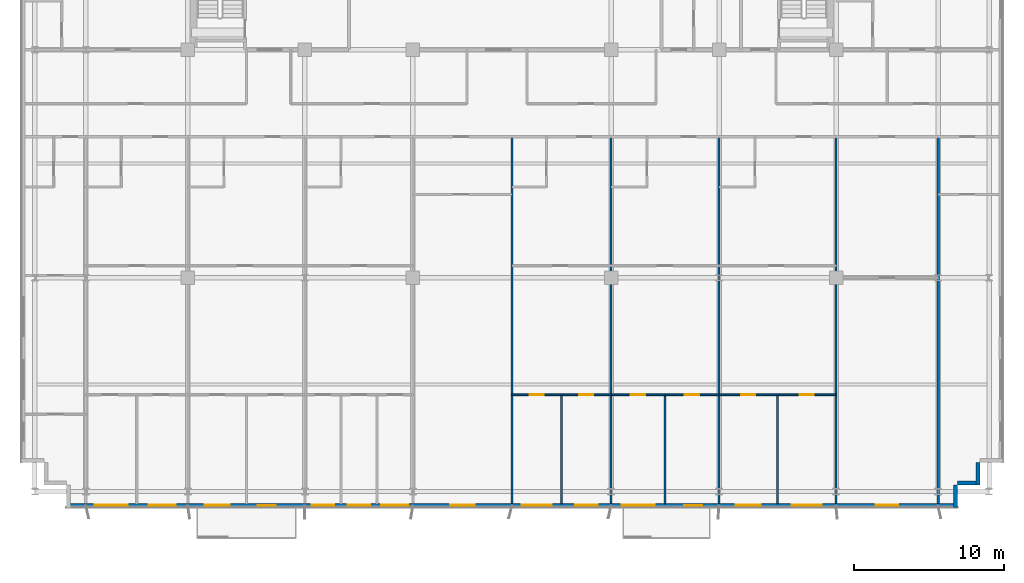
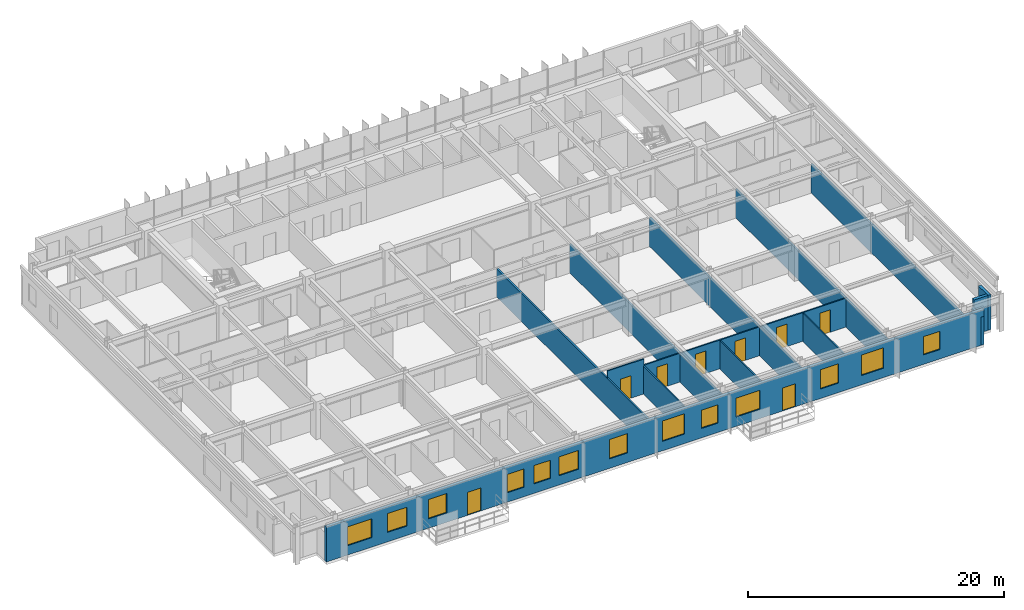
# One storey, part 17 of 24: 18 walls, 13 windows, 8 doors, 21 openings.
"""IFC4 building model written with IfcOpenShell, lengths in metres."""

from ifc_helpers import new_model, si_unit, direction, frame, frame_2d, origin, place, context, subcontext, project, spatial, rectangle, extrude, source, transform, mapped, material, layer, layer_set, type_object, element, fill, save


model = new_model("IFC4")

# Units and contexts
model_context = context("Model", 3, precision=1e-05, world=origin(), true_north=direction((0.0, 1.0)))
body_context = subcontext(model_context, "Body", "Model", "MODEL_VIEW")
ifc_project = project(units=[si_unit("LENGTHUNIT", "METRE"), si_unit("AREAUNIT", "SQUARE_METRE"), si_unit("VOLUMEUNIT", "CUBIC_METRE"), si_unit("PLANEANGLEUNIT", "RADIAN"), si_unit("MASSUNIT", "GRAM", prefix="KILO")], contexts=[model_context])

# Site, building, storey
site_placement = place(None, origin())
site = spatial("IfcSite", under=ifc_project, at=site_placement, CompositionType="ELEMENT")
building_placement = place(site_placement, origin())
building = spatial("IfcBuilding", under=site, at=building_placement, Name="Trelvane Seafront Commons", CompositionType="ELEMENT")
storey_placement = place(building_placement, frame((0.0, 0.0, 27.10009765625)))
storey = spatial("IfcBuildingStorey", under=building, at=storey_placement, Name="L06", CompositionType="ELEMENT", Elevation=27.10009765625)

# Walls
ifc_material_1 = material(Name="Precast concrete C40/50", Category="concrete")
ifc_layer_1 = layer(ifc_material_1, 0.260009765625, Name="ARCH-WALL-EXT260")
ifc_layer_set_1 = layer_set([ifc_layer_1], Name="Precast concrete C40/50")
wall_type_1 = type_object("IfcWallType", Name="ARCH-WALL-EXT260", PredefinedType="SOLIDWALL", material=ifc_layer_set_1)
for number, where, z_axis, x_axis, name in (
    (1, (68.27001953125, 5.89990234375, 0.0), (0.0, 0.0, 1.0), (0.0, -1.0, 0.0), "EW-L06-00082"),
    (2, (68.39990234375, 4.530029296875, 0.0), (0.0, 0.0, 1.0), (-1.0, 0.0, 0.0), "EW-L06-00083"),
):
    element("IfcWall", number, at=place(storey_placement, frame(where, z_axis=z_axis, x_axis=x_axis)), inside=storey, type_object=wall_type_1, Name=name, PredefinedType="SOLIDWALL", context=body_context, shape_type="SweptSolid", body=[
        extrude(rectangle(XDim=1.5, YDim=0.260009765625, at=frame_2d((0.75, 0.0))), origin(), (0.0, 0.0, 1.0), 3.33984375),
    ])
wall_1_placement = place(storey_placement, frame((66.77001953125, 4.39990234375, 0.0), z_axis=(0.0, 0.0, 1.0), x_axis=(0.0, -1.0, 0.0)))
element("IfcWall", 3, at=wall_1_placement, inside=storey, type_object=wall_type_1, Name="EW-L06-00084", PredefinedType="SOLIDWALL", context=body_context, shape_type="SweptSolid", body=[
    extrude(rectangle(XDim=1.5, YDim=0.260009765625, at=frame_2d((0.75, 0.0))), origin(), (0.0, 0.0, 1.0), 2.68994140625),
])

# Wall, openings, doors, windows
wall_2_placement = place(storey_placement, frame((66.89990234375, 3.030029296875, 0.0), z_axis=(0.0, 0.0, 1.0), x_axis=(-1.0, 0.0, 0.0)))
wall_2 = element("IfcWall", 4, at=wall_2_placement, inside=storey, type_object=wall_type_1, Name="EW-L06-00085", PredefinedType="SOLIDWALL", context=body_context, shape_type="SweptSolid", body=[
    extrude(rectangle(XDim=59.39990234375, YDim=0.260009765625, at=frame_2d((29.699951171875, 0.0))), origin(), (0.0, 0.0, 1.0), 3.33984375),
])
opening_1_placement = place(wall_2_placement, frame((3.949951171875, 0.0, 0.89990234375)))
opening_1 = element("IfcOpeningElement", 5, at=opening_1_placement, cuts=wall_2, Name="Opening W03", PredefinedType="OPENING", context=body_context, shape_type="SweptSolid", body=[
    extrude(rectangle(XDim=1.5, YDim=1.75, at=frame_2d((0.75, 0.875))), frame((0.0, 0.139892578125, 0.0), z_axis=(0.0, -1.0, 0.0), x_axis=(1.0, 0.0, 0.0)), (0.0, 0.0, 1.0), 0.280029296875),
])
opening_2_placement = place(wall_2_placement, frame((9.050048828125, 0.0, 0.89990234375)))
opening_2 = element("IfcOpeningElement", 6, at=opening_2_placement, cuts=wall_2, Name="Opening W06", PredefinedType="OPENING", context=body_context, shape_type="SweptSolid", body=[
    extrude(rectangle(XDim=2.0, YDim=1.949951171875, at=frame_2d((1.0, 0.97509765625))), frame((0.0, 0.139892578125, 0.0), z_axis=(0.0, -1.0, 0.0), x_axis=(1.0, 0.0, 0.0)), (0.0, 0.0, 1.0), 0.280029296875),
])
opening_3_placement = place(wall_2_placement, frame((13.125, 0.0, 0.89990234375)))
opening_3 = element("IfcOpeningElement", 7, at=opening_3_placement, cuts=wall_2, Name="Opening W07", PredefinedType="OPENING", context=body_context, shape_type="SweptSolid", body=[
    extrude(rectangle(XDim=1.64990234375, YDim=1.85009765625, at=frame_2d((0.824951171875, 0.925048828125))), frame((0.0, 0.139892578125, 0.0), z_axis=(0.0, -1.0, 0.0), x_axis=(1.0, 0.0, 0.0)), (0.0, 0.0, 1.0), 0.280029296875),
])
opening_4_placement = place(wall_2_placement, frame((17.007080078125, 0.0, 0.0)))
opening_4 = element("IfcOpeningElement", 8, at=opening_4_placement, cuts=wall_2, Name="Opening BD-L06-17", PredefinedType="OPENING", context=body_context, shape_type="SweptSolid", body=[
    extrude(rectangle(XDim=1.199951171875, YDim=2.199951171875, at=frame_2d((0.60009765625, 1.10009765625))), frame((0.0, 0.139892578125, 0.0), z_axis=(0.0, -1.0, 0.0), x_axis=(1.0, 0.0, 0.0)), (0.0, 0.0, 1.0), 0.280029296875),
])
opening_5_placement = place(wall_2_placement, frame((20.199951171875, 0.0, 0.89990234375)))
opening_5 = element("IfcOpeningElement", 9, at=opening_5_placement, cuts=wall_2, Name="Opening W02", PredefinedType="OPENING", context=body_context, shape_type="SweptSolid", body=[
    extrude(rectangle(XDim=2.199951171875, YDim=1.800048828125, at=frame_2d((1.10009765625, 0.89990234375))), frame((0.0, 0.139892578125, 0.0), z_axis=(0.0, -1.0, 0.0), x_axis=(1.0, 0.0, 0.0)), (0.0, 0.0, 1.0), 0.280029296875),
])
opening_6_placement = place(wall_2_placement, frame((24.0, 0.0, 0.89990234375)))
opening_6 = element("IfcOpeningElement", 10, at=opening_6_placement, cuts=wall_2, Name="Opening W03", PredefinedType="OPENING", context=body_context, shape_type="SweptSolid", body=[
    extrude(rectangle(XDim=1.5, YDim=1.75, at=frame_2d((0.75, 0.875))), frame((0.0, 0.139892578125, 0.0), z_axis=(0.0, -1.0, 0.0), x_axis=(1.0, 0.0, 0.0)), (0.0, 0.0, 1.0), 0.280029296875),
])
opening_7_placement = place(wall_2_placement, frame((27.050048828125, 0.0, 0.89990234375)))
opening_7 = element("IfcOpeningElement", 11, at=opening_7_placement, cuts=wall_2, Name="Opening W06", PredefinedType="OPENING", context=body_context, shape_type="SweptSolid", body=[
    extrude(rectangle(XDim=2.0, YDim=1.949951171875, at=frame_2d((1.0, 0.97509765625))), frame((0.0, 0.139892578125, 0.0), z_axis=(0.0, -1.0, 0.0), x_axis=(1.0, 0.0, 0.0)), (0.0, 0.0, 1.0), 0.280029296875),
])
opening_8_placement = place(wall_2_placement, frame((32.175048828125, 0.0, 0.89990234375)))
opening_8 = element("IfcOpeningElement", 12, at=opening_8_placement, cuts=wall_2, Name="Opening W07", PredefinedType="OPENING", context=body_context, shape_type="SweptSolid", body=[
    extrude(rectangle(XDim=1.64990234375, YDim=1.85009765625, at=frame_2d((0.824951171875, 0.925048828125))), frame((0.0, 0.139892578125, 0.0), z_axis=(0.0, -1.0, 0.0), x_axis=(1.0, 0.0, 0.0)), (0.0, 0.0, 1.0), 0.280029296875),
])
opening_9_placement = place(wall_2_placement, frame((36.60009765625, 0.0, 0.89990234375)))
opening_9 = element("IfcOpeningElement", 13, at=opening_9_placement, cuts=wall_2, Name="Opening W01", PredefinedType="OPENING", context=body_context, shape_type="SweptSolid", body=[
    extrude(rectangle(XDim=1.800048828125, YDim=1.800048828125, at=frame_2d((0.89990234375, 0.89990234375))), frame((0.0, 0.139892578125, 0.0), z_axis=(0.0, -1.0, 0.0), x_axis=(1.0, 0.0, 0.0)), (0.0, 0.0, 1.0), 0.280029296875),
])
opening_10_placement = place(wall_2_placement, frame((39.14990234375, 0.0, 0.89990234375)))
opening_10 = element("IfcOpeningElement", 14, at=opening_10_placement, cuts=wall_2, Name="Opening W03", PredefinedType="OPENING", context=body_context, shape_type="SweptSolid", body=[
    extrude(rectangle(XDim=1.5, YDim=1.75, at=frame_2d((0.75, 0.875))), frame((0.0, 0.139892578125, 0.0), z_axis=(0.0, -1.0, 0.0), x_axis=(1.0, 0.0, 0.0)), (0.0, 0.0, 1.0), 0.280029296875),
])
opening_11_placement = place(wall_2_placement, frame((41.550048828125, 0.0, 0.89990234375)))
opening_11 = element("IfcOpeningElement", 15, at=opening_11_placement, cuts=wall_2, Name="Opening W03", PredefinedType="OPENING", context=body_context, shape_type="SweptSolid", body=[
    extrude(rectangle(XDim=1.5, YDim=1.75, at=frame_2d((0.75, 0.875))), frame((0.0, 0.139892578125, 0.0), z_axis=(0.0, -1.0, 0.0), x_axis=(1.0, 0.0, 0.0)), (0.0, 0.0, 1.0), 0.280029296875),
])
opening_12_placement = place(wall_2_placement, frame((45.43505859375, 0.0, 0.0)))
opening_12 = element("IfcOpeningElement", 16, at=opening_12_placement, cuts=wall_2, Name="Opening BD-L06-18", PredefinedType="OPENING", context=body_context, shape_type="SweptSolid", body=[
    extrude(rectangle(XDim=1.199951171875, YDim=2.199951171875, at=frame_2d((0.60009765625, 1.10009765625))), frame((0.0, 0.139892578125, 0.0), z_axis=(0.0, -1.0, 0.0), x_axis=(1.0, 0.0, 0.0)), (0.0, 0.0, 1.0), 0.280029296875),
])
opening_13_placement = place(wall_2_placement, frame((48.52490234375, 0.0, 0.89990234375)))
opening_13 = element("IfcOpeningElement", 17, at=opening_13_placement, cuts=wall_2, Name="Opening W07", PredefinedType="OPENING", context=body_context, shape_type="SweptSolid", body=[
    extrude(rectangle(XDim=1.64990234375, YDim=1.85009765625, at=frame_2d((0.824951171875, 0.925048828125))), frame((0.0, 0.139892578125, 0.0), z_axis=(0.0, -1.0, 0.0), x_axis=(1.0, 0.0, 0.0)), (0.0, 0.0, 1.0), 0.280029296875),
])
opening_14_placement = place(wall_2_placement, frame((52.10009765625, 0.0, 0.89990234375)))
opening_14 = element("IfcOpeningElement", 18, at=opening_14_placement, cuts=wall_2, Name="Opening W01", PredefinedType="OPENING", context=body_context, shape_type="SweptSolid", body=[
    extrude(rectangle(XDim=1.800048828125, YDim=1.800048828125, at=frame_2d((0.89990234375, 0.89990234375))), frame((0.0, 0.139892578125, 0.0), z_axis=(0.0, -1.0, 0.0), x_axis=(1.0, 0.0, 0.0)), (0.0, 0.0, 1.0), 0.280029296875),
])
opening_15_placement = place(wall_2_placement, frame((55.300048828125, 0.0, 0.89990234375)))
opening_15 = element("IfcOpeningElement", 19, at=opening_15_placement, cuts=wall_2, Name="Opening W02", PredefinedType="OPENING", context=body_context, shape_type="SweptSolid", body=[
    extrude(rectangle(XDim=2.199951171875, YDim=1.800048828125, at=frame_2d((1.10009765625, 0.89990234375))), frame((0.0, 0.139892578125, 0.0), z_axis=(0.0, -1.0, 0.0), x_axis=(1.0, 0.0, 0.0)), (0.0, 0.0, 1.0), 0.280029296875),
])
ifc_material_2 = material(Name="Powder-coated aluminium frame", Category="aluminium")
door_type_1 = type_object("IfcDoorType", Name="ARCH-DR-BAL1200", OperationType="NOTDEFINED", PredefinedType="DOOR", material=ifc_material_2)
shared_shape_1 = source(origin(), body_context, "Body", "SweptSolid", [
    extrude(rectangle(XDim=1.199951171875, YDim=2.199951171875, at=frame_2d((0.60009765625, 1.10009765625))), frame((0.0, 0.02490234375, 0.0), z_axis=(0.0, -1.0, 0.0), x_axis=(1.0, 0.0, 0.0)), (0.0, 0.0, 1.0), 0.050048828125),
])
door_1_placement = place(opening_4_placement, origin())
door_1 = element("IfcDoor", 20, at=door_1_placement, inside=storey, type_object=door_type_1, Name="L06 Balcony Terrace Access Door", OperationType="SINGLE_SWING_LEFT", OverallHeight=2.199951171875, OverallWidth=1.199951171875, PredefinedType="DOOR", context=body_context, shape_type="MappedRepresentation", body=[
    mapped(shared_shape_1, transform((0.0, 0.0, 0.0), x_axis=(1.0, 0.0, 0.0), y_axis=(0.0, 1.0, 0.0), z_axis=(0.0, 0.0, 1.0), scale=1.0)),
])
fill(opening_4, door_1)
door_2_placement = place(opening_12_placement, origin())
door_2 = element("IfcDoor", 21, at=door_2_placement, inside=storey, type_object=door_type_1, Name="L06 Balcony Terrace Access Door", OperationType="SINGLE_SWING_LEFT", OverallHeight=2.199951171875, OverallWidth=1.199951171875, PredefinedType="DOOR", context=body_context, shape_type="MappedRepresentation", body=[
    mapped(shared_shape_1, transform((0.0, 0.0, 0.0), x_axis=(1.0, 0.0, 0.0), y_axis=(0.0, 1.0, 0.0), z_axis=(0.0, 0.0, 1.0), scale=1.0)),
])
fill(opening_12, door_2)
ifc_material_3 = material(Name="Low-E coastal double glazing", Category="glass")
window_type_1 = type_object("IfcWindowType", Name="ARCH-WIN-W02", PartitioningType="SINGLE_PANEL", PredefinedType="WINDOW", material=ifc_material_3)
shared_shape_2 = source(origin(), body_context, "Body", "SweptSolid", [
    extrude(rectangle(XDim=2.199951171875, YDim=1.800048828125, at=frame_2d((1.10009765625, 0.89990234375))), frame((0.0, 0.030029296875, 0.0), z_axis=(0.0, -1.0, 0.0), x_axis=(1.0, 0.0, 0.0)), (0.0, 0.0, 1.0), 0.06005859375),
])
window_1_placement = place(opening_5_placement, origin())
window_1 = element("IfcWindow", 22, at=window_1_placement, inside=storey, type_object=window_type_1, Name="WIN-L06-00118", OverallHeight=1.800048828125, OverallWidth=2.199951171875, PartitioningType="SINGLE_PANEL", PredefinedType="WINDOW", context=body_context, shape_type="MappedRepresentation", body=[
    mapped(shared_shape_2, transform((0.0, 0.0, 0.0), x_axis=(1.0, 0.0, 0.0), y_axis=(0.0, 1.0, 0.0), z_axis=(0.0, 0.0, 1.0), scale=1.0)),
])
fill(opening_5, window_1)
window_2_placement = place(opening_15_placement, origin())
window_2 = element("IfcWindow", 23, at=window_2_placement, inside=storey, type_object=window_type_1, Name="WIN-L06-00127", OverallHeight=1.800048828125, OverallWidth=2.199951171875, PartitioningType="SINGLE_PANEL", PredefinedType="WINDOW", context=body_context, shape_type="MappedRepresentation", body=[
    mapped(shared_shape_2, transform((0.0, 0.0, 0.0), x_axis=(1.0, 0.0, 0.0), y_axis=(0.0, 1.0, 0.0), z_axis=(0.0, 0.0, 1.0), scale=1.0)),
])
fill(opening_15, window_2)
window_type_2 = type_object("IfcWindowType", Name="ARCH-WIN-W03", PartitioningType="SINGLE_PANEL", PredefinedType="WINDOW", material=ifc_material_3)
shared_shape_3 = source(origin(), body_context, "Body", "SweptSolid", [
    extrude(rectangle(XDim=1.5, YDim=1.75, at=frame_2d((0.75, 0.875))), frame((0.0, 0.030029296875, 0.0), z_axis=(0.0, -1.0, 0.0), x_axis=(1.0, 0.0, 0.0)), (0.0, 0.0, 1.0), 0.06005859375),
])
window_3_placement = place(opening_1_placement, origin())
window_3 = element("IfcWindow", 24, at=window_3_placement, inside=storey, type_object=window_type_2, Name="WIN-L06-00115", OverallHeight=1.75, OverallWidth=1.5, PartitioningType="SINGLE_PANEL", PredefinedType="WINDOW", context=body_context, shape_type="MappedRepresentation", body=[
    mapped(shared_shape_3, transform((0.0, 0.0, 0.0), x_axis=(1.0, 0.0, 0.0), y_axis=(0.0, 1.0, 0.0), z_axis=(0.0, 0.0, 1.0), scale=1.0)),
])
fill(opening_1, window_3)
window_4_placement = place(opening_6_placement, origin())
window_4 = element("IfcWindow", 25, at=window_4_placement, inside=storey, type_object=window_type_2, Name="WIN-L06-00119", OverallHeight=1.75, OverallWidth=1.5, PartitioningType="SINGLE_PANEL", PredefinedType="WINDOW", context=body_context, shape_type="MappedRepresentation", body=[
    mapped(shared_shape_3, transform((0.0, 0.0, 0.0), x_axis=(1.0, 0.0, 0.0), y_axis=(0.0, 1.0, 0.0), z_axis=(0.0, 0.0, 1.0), scale=1.0)),
])
fill(opening_6, window_4)
window_5_placement = place(opening_10_placement, origin())
window_5 = element("IfcWindow", 26, at=window_5_placement, inside=storey, type_object=window_type_2, Name="WIN-L06-00123", OverallHeight=1.75, OverallWidth=1.5, PartitioningType="SINGLE_PANEL", PredefinedType="WINDOW", context=body_context, shape_type="MappedRepresentation", body=[
    mapped(shared_shape_3, transform((0.0, 0.0, 0.0), x_axis=(1.0, 0.0, 0.0), y_axis=(0.0, 1.0, 0.0), z_axis=(0.0, 0.0, 1.0), scale=1.0)),
])
fill(opening_10, window_5)
window_6_placement = place(opening_11_placement, origin())
window_6 = element("IfcWindow", 27, at=window_6_placement, inside=storey, type_object=window_type_2, Name="WIN-L06-00124", OverallHeight=1.75, OverallWidth=1.5, PartitioningType="SINGLE_PANEL", PredefinedType="WINDOW", context=body_context, shape_type="MappedRepresentation", body=[
    mapped(shared_shape_3, transform((0.0, 0.0, 0.0), x_axis=(1.0, 0.0, 0.0), y_axis=(0.0, 1.0, 0.0), z_axis=(0.0, 0.0, 1.0), scale=1.0)),
])
fill(opening_11, window_6)
window_type_3 = type_object("IfcWindowType", Name="ARCH-WIN-W06", PartitioningType="SINGLE_PANEL", PredefinedType="WINDOW", material=ifc_material_3)
shared_shape_4 = source(origin(), body_context, "Body", "SweptSolid", [
    extrude(rectangle(XDim=2.0, YDim=1.949951171875, at=frame_2d((1.0, 0.97509765625))), frame((0.0, 0.030029296875, 0.0), z_axis=(0.0, -1.0, 0.0), x_axis=(1.0, 0.0, 0.0)), (0.0, 0.0, 1.0), 0.06005859375),
])
window_7_placement = place(opening_2_placement, origin())
window_7 = element("IfcWindow", 28, at=window_7_placement, inside=storey, type_object=window_type_3, Name="WIN-L06-00116", OverallHeight=1.949951171875, OverallWidth=2.0, PartitioningType="SINGLE_PANEL", PredefinedType="WINDOW", context=body_context, shape_type="MappedRepresentation", body=[
    mapped(shared_shape_4, transform((0.0, 0.0, 0.0), x_axis=(1.0, 0.0, 0.0), y_axis=(0.0, 1.0, 0.0), z_axis=(0.0, 0.0, 1.0), scale=1.0)),
])
fill(opening_2, window_7)
window_8_placement = place(opening_7_placement, origin())
window_8 = element("IfcWindow", 29, at=window_8_placement, inside=storey, type_object=window_type_3, Name="WIN-L06-00120", OverallHeight=1.949951171875, OverallWidth=2.0, PartitioningType="SINGLE_PANEL", PredefinedType="WINDOW", context=body_context, shape_type="MappedRepresentation", body=[
    mapped(shared_shape_4, transform((0.0, 0.0, 0.0), x_axis=(1.0, 0.0, 0.0), y_axis=(0.0, 1.0, 0.0), z_axis=(0.0, 0.0, 1.0), scale=1.0)),
])
fill(opening_7, window_8)
window_type_4 = type_object("IfcWindowType", Name="ARCH-WIN-W01", PartitioningType="SINGLE_PANEL", PredefinedType="WINDOW", material=ifc_material_3)
shared_shape_5 = source(origin(), body_context, "Body", "SweptSolid", [
    extrude(rectangle(XDim=1.800048828125, YDim=1.800048828125, at=frame_2d((0.89990234375, 0.89990234375))), frame((0.0, 0.030029296875, 0.0), z_axis=(0.0, -1.0, 0.0), x_axis=(1.0, 0.0, 0.0)), (0.0, 0.0, 1.0), 0.06005859375),
])
window_9_placement = place(opening_9_placement, origin())
window_9 = element("IfcWindow", 30, at=window_9_placement, inside=storey, type_object=window_type_4, Name="WIN-L06-00122", OverallHeight=1.800048828125, OverallWidth=1.800048828125, PartitioningType="SINGLE_PANEL", PredefinedType="WINDOW", context=body_context, shape_type="MappedRepresentation", body=[
    mapped(shared_shape_5, transform((0.0, 0.0, 0.0), x_axis=(1.0, 0.0, 0.0), y_axis=(0.0, 1.0, 0.0), z_axis=(0.0, 0.0, 1.0), scale=1.0)),
])
fill(opening_9, window_9)
window_10_placement = place(opening_14_placement, origin())
window_10 = element("IfcWindow", 31, at=window_10_placement, inside=storey, type_object=window_type_4, Name="WIN-L06-00126", OverallHeight=1.800048828125, OverallWidth=1.800048828125, PartitioningType="SINGLE_PANEL", PredefinedType="WINDOW", context=body_context, shape_type="MappedRepresentation", body=[
    mapped(shared_shape_5, transform((0.0, 0.0, 0.0), x_axis=(1.0, 0.0, 0.0), y_axis=(0.0, 1.0, 0.0), z_axis=(0.0, 0.0, 1.0), scale=1.0)),
])
fill(opening_14, window_10)
window_type_5 = type_object("IfcWindowType", Name="ARCH-WIN-W07", PartitioningType="SINGLE_PANEL", PredefinedType="WINDOW", material=ifc_material_3)
shared_shape_6 = source(origin(), body_context, "Body", "SweptSolid", [
    extrude(rectangle(XDim=1.64990234375, YDim=1.85009765625, at=frame_2d((0.824951171875, 0.925048828125))), frame((0.0, 0.030029296875, 0.0), z_axis=(0.0, -1.0, 0.0), x_axis=(1.0, 0.0, 0.0)), (0.0, 0.0, 1.0), 0.06005859375),
])
window_11_placement = place(opening_3_placement, origin())
window_11 = element("IfcWindow", 32, at=window_11_placement, inside=storey, type_object=window_type_5, Name="WIN-L06-00117", OverallHeight=1.85009765625, OverallWidth=1.64990234375, PartitioningType="SINGLE_PANEL", PredefinedType="WINDOW", context=body_context, shape_type="MappedRepresentation", body=[
    mapped(shared_shape_6, transform((0.0, 0.0, 0.0), x_axis=(1.0, 0.0, 0.0), y_axis=(0.0, 1.0, 0.0), z_axis=(0.0, 0.0, 1.0), scale=1.0)),
])
fill(opening_3, window_11)
window_12_placement = place(opening_8_placement, origin())
window_12 = element("IfcWindow", 33, at=window_12_placement, inside=storey, type_object=window_type_5, Name="WIN-L06-00121", OverallHeight=1.85009765625, OverallWidth=1.64990234375, PartitioningType="SINGLE_PANEL", PredefinedType="WINDOW", context=body_context, shape_type="MappedRepresentation", body=[
    mapped(shared_shape_6, transform((0.0, 0.0, 0.0), x_axis=(1.0, 0.0, 0.0), y_axis=(0.0, 1.0, 0.0), z_axis=(0.0, 0.0, 1.0), scale=1.0)),
])
fill(opening_8, window_12)
window_13_placement = place(opening_13_placement, origin())
window_13 = element("IfcWindow", 34, at=window_13_placement, inside=storey, type_object=window_type_5, Name="WIN-L06-00125", OverallHeight=1.85009765625, OverallWidth=1.64990234375, PartitioningType="SINGLE_PANEL", PredefinedType="WINDOW", context=body_context, shape_type="MappedRepresentation", body=[
    mapped(shared_shape_6, transform((0.0, 0.0, 0.0), x_axis=(1.0, 0.0, 0.0), y_axis=(0.0, 1.0, 0.0), z_axis=(0.0, 0.0, 1.0), scale=1.0)),
])
fill(opening_13, window_13)

# Wall, opening, door
ifc_material_4 = material(Name="Gypsum Drywall Acoustic Partition")
ifc_layer_2 = layer(ifc_material_4, 0.1201171875, Name="ARCH-WALL-PART120")
ifc_layer_set_2 = layer_set([ifc_layer_2], Name="Gypsum Drywall Acoustic Partition")
wall_type_2 = type_object("IfcWallType", Name="ARCH-WALL-PART120", PredefinedType="PARTITIONING", material=ifc_layer_set_2)
wall_3_placement = place(storey_placement, frame((37.199951171875, 10.39990234375, 0.0), z_axis=(0.0, 0.0, 1.0), x_axis=(1.0, 0.0, 0.0)))
wall_3 = element("IfcWall", 35, at=wall_3_placement, inside=storey, type_object=wall_type_2, Name="W-L06-U6-YM-1-107", PredefinedType="PARTITIONING", context=body_context, shape_type="SweptSolid", body=[
    extrude(rectangle(XDim=3.300048828125, YDim=0.1201171875, at=frame_2d((1.64990234375, 0.0))), origin(), (0.0, 0.0, 1.0), 3.33984375),
])
opening_16_placement = place(wall_3_placement, frame((1.175048828125, 0.0, 0.0)))
opening_16 = element("IfcOpeningElement", 36, at=opening_16_placement, cuts=wall_3, Name="Opening D-L06-58", PredefinedType="OPENING", context=body_context, shape_type="SweptSolid", body=[
    extrude(rectangle(XDim=0.949951171875, YDim=2.14990234375, at=frame_2d((0.47509765625, 1.074951171875))), frame((0.0, 0.070068359375, 0.0), z_axis=(0.0, -1.0, 0.0), x_axis=(1.0, 0.0, 0.0)), (0.0, 0.0, 1.0), 0.14013671875),
])
ifc_material_5 = material(Name="Acoustic timber door leaf", Category="wood")
door_type_2 = type_object("IfcDoorType", Name="ARCH-DR-INT950", OperationType="NOTDEFINED", PredefinedType="DOOR", material=ifc_material_5)
shared_shape_7 = source(origin(), body_context, "Body", "SweptSolid", [
    extrude(rectangle(XDim=0.949951171875, YDim=2.14990234375, at=frame_2d((0.47509765625, 1.074951171875))), frame((0.0, 0.02490234375, 0.0), z_axis=(0.0, -1.0, 0.0), x_axis=(1.0, 0.0, 0.0)), (0.0, 0.0, 1.0), 0.050048828125),
])
door_3_placement = place(opening_16_placement, origin())
door_3 = element("IfcDoor", 37, at=door_3_placement, inside=storey, type_object=door_type_2, Name="L06 Door 58", OperationType="SINGLE_SWING_RIGHT", OverallHeight=2.14990234375, OverallWidth=0.949951171875, PredefinedType="DOOR", context=body_context, shape_type="MappedRepresentation", body=[
    mapped(shared_shape_7, transform((0.0, 0.0, 0.0), x_axis=(1.0, 0.0, 0.0), y_axis=(0.0, 1.0, 0.0), z_axis=(0.0, 0.0, 1.0), scale=1.0)),
])
fill(opening_16, door_3)

wall_4_placement = place(storey_placement, frame((40.5, 10.39990234375, 0.0), z_axis=(0.0, 0.0, 1.0), x_axis=(1.0, 0.0, 0.0)))
wall_4 = element("IfcWall", 38, at=wall_4_placement, inside=storey, type_object=wall_type_2, Name="W-L06-U6-YM-2-108", PredefinedType="PARTITIONING", context=body_context, shape_type="SweptSolid", body=[
    extrude(rectangle(XDim=3.300048828125, YDim=0.1201171875, at=frame_2d((1.64990234375, 0.0))), origin(), (0.0, 0.0, 1.0), 2.751953125),
])
opening_17_placement = place(wall_4_placement, frame((1.175048828125, 0.0, 0.0)))
opening_17 = element("IfcOpeningElement", 39, at=opening_17_placement, cuts=wall_4, Name="Opening D-L06-59", PredefinedType="OPENING", context=body_context, shape_type="SweptSolid", body=[
    extrude(rectangle(XDim=0.949951171875, YDim=2.14990234375, at=frame_2d((0.47509765625, 1.074951171875))), frame((0.0, 0.070068359375, 0.0), z_axis=(0.0, -1.0, 0.0), x_axis=(1.0, 0.0, 0.0)), (0.0, 0.0, 1.0), 0.14013671875),
])
door_4_placement = place(opening_17_placement, origin())
door_4 = element("IfcDoor", 40, at=door_4_placement, inside=storey, type_object=door_type_2, Name="L06 Door 59", OperationType="SINGLE_SWING_LEFT", OverallHeight=2.14990234375, OverallWidth=0.949951171875, PredefinedType="DOOR", context=body_context, shape_type="MappedRepresentation", body=[
    mapped(shared_shape_7, transform((0.0, 0.0, 0.0), x_axis=(1.0, 0.0, 0.0), y_axis=(0.0, 1.0, 0.0), z_axis=(0.0, 0.0, 1.0), scale=1.0)),
])
fill(opening_17, door_4)

# Wall
wall_5_placement = place(storey_placement, frame((40.5, 3.14501953125, 0.0), z_axis=(0.0, 0.0, 1.0), x_axis=(0.0, 1.0, 0.0)))
element("IfcWall", 41, at=wall_5_placement, inside=storey, type_object=wall_type_2, Name="W-L06-U6-BDV-1-109", PredefinedType="PARTITIONING", context=body_context, shape_type="SweptSolid", body=[
    extrude(rectangle(XDim=7.2548828125, YDim=0.1201171875, at=frame_2d((3.62744140625, 0.0))), origin(), (0.0, 0.0, 1.0), 2.68994140625),
])

# Wall, opening, door
wall_6_placement = place(storey_placement, frame((43.800048828125, 10.39990234375, 0.0), z_axis=(0.0, 0.0, 1.0), x_axis=(1.0, 0.0, 0.0)))
wall_6 = element("IfcWall", 42, at=wall_6_placement, inside=storey, type_object=wall_type_2, Name="W-L06-U7-YM-1-114", PredefinedType="PARTITIONING", context=body_context, shape_type="SweptSolid", body=[
    extrude(rectangle(XDim=3.599853515625, YDim=0.1201171875, at=frame_2d((1.7998046875, 0.0))), origin(), (0.0, 0.0, 1.0), 2.751953125),
])
opening_18_placement = place(wall_6_placement, frame((1.324951171875, 0.0, 0.0)))
opening_18 = element("IfcOpeningElement", 43, at=opening_18_placement, cuts=wall_6, Name="Opening D-L06-63", PredefinedType="OPENING", context=body_context, shape_type="SweptSolid", body=[
    extrude(rectangle(XDim=0.949951171875, YDim=2.14990234375, at=frame_2d((0.47509765625, 1.074951171875))), frame((0.0, 0.070068359375, 0.0), z_axis=(0.0, -1.0, 0.0), x_axis=(1.0, 0.0, 0.0)), (0.0, 0.0, 1.0), 0.14013671875),
])
door_5_placement = place(opening_18_placement, origin())
door_5 = element("IfcDoor", 44, at=door_5_placement, inside=storey, type_object=door_type_2, Name="L06 Door 63", OperationType="SINGLE_SWING_LEFT", OverallHeight=2.14990234375, OverallWidth=0.949951171875, PredefinedType="DOOR", context=body_context, shape_type="MappedRepresentation", body=[
    mapped(shared_shape_7, transform((0.0, 0.0, 0.0), x_axis=(1.0, 0.0, 0.0), y_axis=(0.0, 1.0, 0.0), z_axis=(0.0, 0.0, 1.0), scale=1.0)),
])
fill(opening_18, door_5)

wall_7_placement = place(storey_placement, frame((47.39990234375, 10.39990234375, 0.0), z_axis=(0.0, 0.0, 1.0), x_axis=(1.0, 0.0, 0.0)))
wall_7 = element("IfcWall", 45, at=wall_7_placement, inside=storey, type_object=wall_type_2, Name="W-L06-U7-YM-2-115", PredefinedType="PARTITIONING", context=body_context, shape_type="SweptSolid", body=[
    extrude(rectangle(XDim=3.60009765625, YDim=0.1201171875, at=frame_2d((1.800048828125, 0.0))), origin(), (0.0, 0.0, 1.0), 2.751953125),
])
opening_19_placement = place(wall_7_placement, frame((1.324951171875, 0.0, 0.0)))
opening_19 = element("IfcOpeningElement", 46, at=opening_19_placement, cuts=wall_7, Name="Opening D-L06-64", PredefinedType="OPENING", context=body_context, shape_type="SweptSolid", body=[
    extrude(rectangle(XDim=0.949951171875, YDim=2.14990234375, at=frame_2d((0.47509765625, 1.074951171875))), frame((0.0, 0.070068359375, 0.0), z_axis=(0.0, -1.0, 0.0), x_axis=(1.0, 0.0, 0.0)), (0.0, 0.0, 1.0), 0.14013671875),
])
door_6_placement = place(opening_19_placement, origin())
door_6 = element("IfcDoor", 47, at=door_6_placement, inside=storey, type_object=door_type_2, Name="L06 Door 64", OperationType="SINGLE_SWING_RIGHT", OverallHeight=2.14990234375, OverallWidth=0.949951171875, PredefinedType="DOOR", context=body_context, shape_type="MappedRepresentation", body=[
    mapped(shared_shape_7, transform((0.0, 0.0, 0.0), x_axis=(1.0, 0.0, 0.0), y_axis=(0.0, 1.0, 0.0), z_axis=(0.0, 0.0, 1.0), scale=1.0)),
])
fill(opening_19, door_6)

# Wall
wall_8_placement = place(storey_placement, frame((47.39990234375, 3.14501953125, 0.0), z_axis=(0.0, 0.0, 1.0), x_axis=(0.0, 1.0, 0.0)))
element("IfcWall", 48, at=wall_8_placement, inside=storey, type_object=wall_type_2, Name="W-L06-U7-BDV-1-116", PredefinedType="PARTITIONING", context=body_context, shape_type="SweptSolid", body=[
    extrude(rectangle(XDim=7.2548828125, YDim=0.1201171875, at=frame_2d((3.62744140625, 0.0))), origin(), (0.0, 0.0, 1.0), 2.68994140625),
])

# Wall, opening, door
wall_9_placement = place(storey_placement, frame((51.0, 10.39990234375, 0.0), z_axis=(0.0, 0.0, 1.0), x_axis=(1.0, 0.0, 0.0)))
wall_9 = element("IfcWall", 49, at=wall_9_placement, inside=storey, type_object=wall_type_2, Name="W-L06-U8-YM-1-121", PredefinedType="PARTITIONING", context=body_context, shape_type="SweptSolid", body=[
    extrude(rectangle(XDim=3.89990234375, YDim=0.1201171875, at=frame_2d((1.949951171875, 0.0))), origin(), (0.0, 0.0, 1.0), 2.751953125),
])
opening_20_placement = place(wall_9_placement, frame((1.47509765625, 0.0, 0.0)))
opening_20 = element("IfcOpeningElement", 50, at=opening_20_placement, cuts=wall_9, Name="Opening D-L06-68", PredefinedType="OPENING", context=body_context, shape_type="SweptSolid", body=[
    extrude(rectangle(XDim=0.949951171875, YDim=2.14990234375, at=frame_2d((0.47509765625, 1.074951171875))), frame((0.0, 0.070068359375, 0.0), z_axis=(0.0, -1.0, 0.0), x_axis=(1.0, 0.0, 0.0)), (0.0, 0.0, 1.0), 0.14013671875),
])
door_7_placement = place(opening_20_placement, origin())
door_7 = element("IfcDoor", 51, at=door_7_placement, inside=storey, type_object=door_type_2, Name="L06 Door 68", OperationType="SINGLE_SWING_RIGHT", OverallHeight=2.14990234375, OverallWidth=0.949951171875, PredefinedType="DOOR", context=body_context, shape_type="MappedRepresentation", body=[
    mapped(shared_shape_7, transform((0.0, 0.0, 0.0), x_axis=(1.0, 0.0, 0.0), y_axis=(0.0, 1.0, 0.0), z_axis=(0.0, 0.0, 1.0), scale=1.0)),
])
fill(opening_20, door_7)

wall_10_placement = place(storey_placement, frame((54.89990234375, 10.39990234375, 0.0), z_axis=(0.0, 0.0, 1.0), x_axis=(1.0, 0.0, 0.0)))
wall_10 = element("IfcWall", 52, at=wall_10_placement, inside=storey, type_object=wall_type_2, Name="W-L06-U8-YM-2-122", PredefinedType="PARTITIONING", context=body_context, shape_type="SweptSolid", body=[
    extrude(rectangle(XDim=3.900146484375, YDim=0.1201171875, at=frame_2d((1.9501953125, 0.0))), origin(), (0.0, 0.0, 1.0), 2.751953125),
])
opening_21_placement = place(wall_10_placement, frame((1.47509765625, 0.0, 0.0)))
opening_21 = element("IfcOpeningElement", 53, at=opening_21_placement, cuts=wall_10, Name="Opening D-L06-69", PredefinedType="OPENING", context=body_context, shape_type="SweptSolid", body=[
    extrude(rectangle(XDim=0.949951171875, YDim=2.14990234375, at=frame_2d((0.47509765625, 1.074951171875))), frame((0.0, 0.070068359375, 0.0), z_axis=(0.0, -1.0, 0.0), x_axis=(1.0, 0.0, 0.0)), (0.0, 0.0, 1.0), 0.14013671875),
])
door_8_placement = place(opening_21_placement, origin())
door_8 = element("IfcDoor", 54, at=door_8_placement, inside=storey, type_object=door_type_2, Name="L06 Door 69", OperationType="SINGLE_SWING_LEFT", OverallHeight=2.14990234375, OverallWidth=0.949951171875, PredefinedType="DOOR", context=body_context, shape_type="MappedRepresentation", body=[
    mapped(shared_shape_7, transform((0.0, 0.0, 0.0), x_axis=(1.0, 0.0, 0.0), y_axis=(0.0, 1.0, 0.0), z_axis=(0.0, 0.0, 1.0), scale=1.0)),
])
fill(opening_21, door_8)

# Walls
wall_11_placement = place(storey_placement, frame((54.89990234375, 3.14501953125, 0.0), z_axis=(0.0, 0.0, 1.0), x_axis=(0.0, 1.0, 0.0)))
element("IfcWall", 55, at=wall_11_placement, inside=storey, type_object=wall_type_2, Name="W-L06-U8-BDV-1-123", PredefinedType="PARTITIONING", context=body_context, shape_type="SweptSolid", body=[
    extrude(rectangle(XDim=7.2548828125, YDim=0.1201171875, at=frame_2d((3.62744140625, 0.0))), origin(), (0.0, 0.0, 1.0), 2.68994140625),
])
ifc_layer_3 = layer(ifc_material_4, 0.14990234375, Name="ARCH-WALL-PART150")
ifc_layer_set_3 = layer_set([ifc_layer_3], Name="Gypsum Drywall Acoustic Partition")
wall_type_3 = type_object("IfcWallType", Name="ARCH-WALL-PART150", PredefinedType="PARTITIONING", material=ifc_layer_set_3)
wall_12_placement = place(storey_placement, frame((37.199951171875, 3.14501953125, 0.0), z_axis=(0.0, 0.0, 1.0), x_axis=(0.0, 1.0, 0.0)))
element("IfcWall", 56, at=wall_12_placement, inside=storey, type_object=wall_type_3, Name="W-L06-PW-5-068", PredefinedType="PARTITIONING", context=body_context, shape_type="SweptSolid", body=[
    extrude(rectangle(XDim=24.455078125, YDim=0.14990234375, at=frame_2d((12.2275390625, 0.0))), origin(), (0.0, 0.0, 1.0), 2.68994140625),
])
for number, where, z_axis, x_axis, name in (
    (57, (43.800048828125, 3.14501953125, 0.0), (0.0, 0.0, 1.0), (0.0, 1.0, 0.0), "W-L06-PW-6-069"),
    (58, (51.0, 3.14501953125, 0.0), (0.0, 0.0, 1.0), (0.0, 1.0, 0.0), "W-L06-PW-7-070"),
    (59, (58.800048828125, 3.14501953125, 0.0), (0.0, 0.0, 1.0), (0.0, 1.0, 0.0), "W-L06-PW-8-071"),
    (60, (65.60009765625, 3.14501953125, 0.0), (0.0, 0.0, 1.0), (0.0, 1.0, 0.0), "W-L06-PW-9-072"),
):
    element("IfcWall", number, at=place(storey_placement, frame(where, z_axis=z_axis, x_axis=x_axis)), inside=storey, type_object=wall_type_3, Name=name, PredefinedType="PARTITIONING", context=body_context, shape_type="SweptSolid", body=[
        extrude(rectangle(XDim=24.455078125, YDim=0.14990234375, at=frame_2d((12.2275390625, 0.0))), origin(), (0.0, 0.0, 1.0), 2.751953125),
    ])

save(model, "model.ifc")
